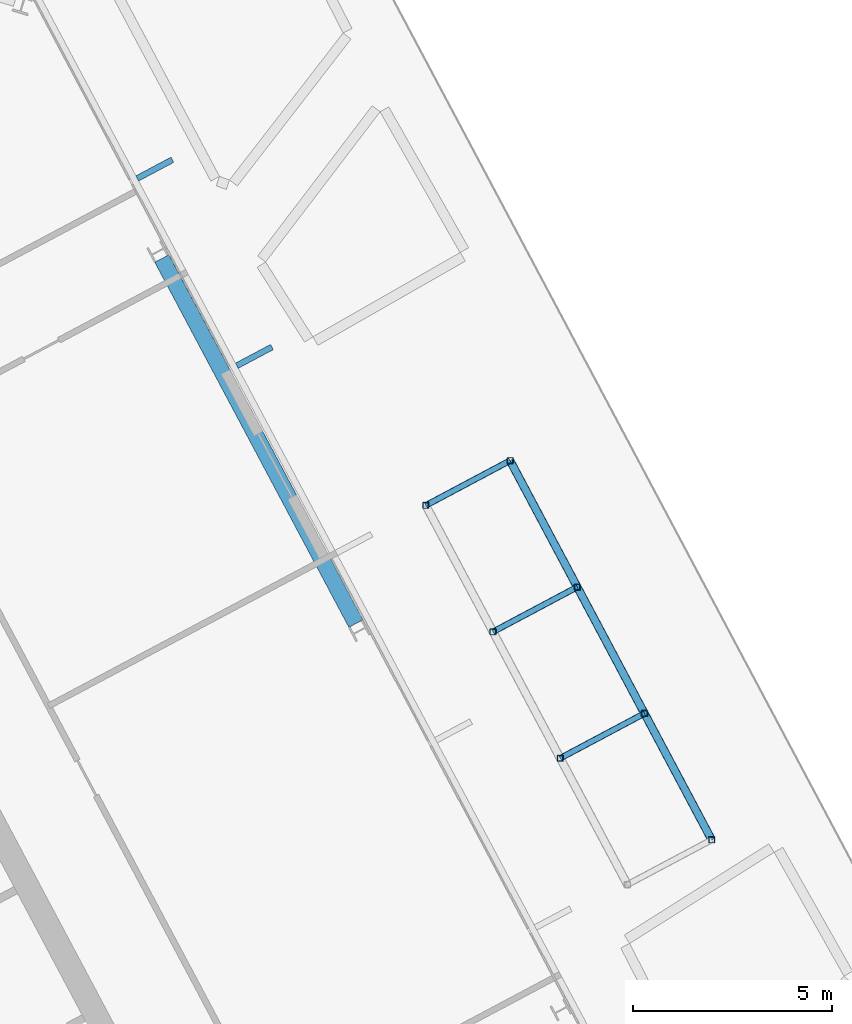
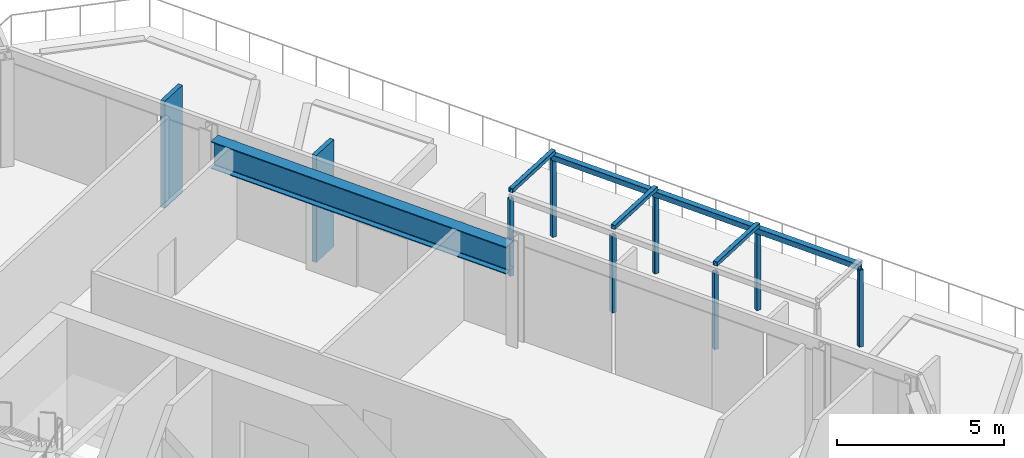
# One storey, part 12 of 31: 13 members, 1 beam, 1 element without a shape of its own.
"""IFC4 building model written with IfcOpenShell, lengths in metres."""

from ifc_helpers import new_model, si_unit, direction, frame, origin, origin_2d, place, context, subcontext, project, spatial, rectangle, hollow_rectangle, i_section, extrude, material, layer, layer_set, material_profile, profile_set, type_object, element, aggregate, save


model = new_model("IFC4")

# Units and contexts
model_context = context("Model", 3, precision=1e-05, world=origin(), true_north=direction((0.0, 1.0)))
body_context = subcontext(model_context, "Body", "Model", "MODEL_VIEW")
ifc_project = project(units=[si_unit("LENGTHUNIT", "METRE"), si_unit("AREAUNIT", "SQUARE_METRE"), si_unit("VOLUMEUNIT", "CUBIC_METRE"), si_unit("PLANEANGLEUNIT", "RADIAN"), si_unit("MASSUNIT", "GRAM", prefix="KILO")], contexts=[model_context])

# Site, building, storey
site_placement = place(None, origin())
site = spatial("IfcSite", under=ifc_project, at=site_placement, CompositionType="ELEMENT")
building_placement = place(site_placement, origin())
building = spatial("IfcBuilding", under=site, at=building_placement, Name="Cormorant Relay Tower", CompositionType="ELEMENT")
storey_placement = place(building_placement, frame((0.0, 0.0, 189.60009765625)))
storey = spatial("IfcBuildingStorey", under=building, at=storey_placement, Name="L40", CompositionType="ELEMENT", Elevation=189.60009765625)

# Curtain wall, members
ifc_material_1 = material(Name="Aluminium 6063-T6 anodised bronze", Category="aluminium")
ifc_layer = layer(ifc_material_1, 0.199951171875)
ifc_layer_set = layer_set([ifc_layer], Name="CW1 unitised bronze curtain wall with vertical fins")
curtain_wall_type = type_object("IfcCurtainWallType", Name="CW1 unitised bronze curtain wall with vertical fins", PredefinedType="NOTDEFINED", material=ifc_layer_set)
curtain_wall_placement = place(storey_placement, origin())
curtain_wall = element("IfcCurtainWall", 1, at=curtain_wall_placement, inside=storey, type_object=curtain_wall_type, Name="CW1 curtain wall 6", PredefinedType="NOTDEFINED")
ifc_material_2 = material(Name="Aluminium 6063-T6 anodised bronze", Category="aluminium")
ifc_material_profile_1 = material_profile(ifc_material_2, rectangle(XDim=0.14990234375, YDim=1.0, at=origin_2d()), Name="AL 150x1000")
ifc_profile_set_1 = profile_set([ifc_material_profile_1], Name="Aluminium 6063-T6 anodised bronze")
member_type_1 = type_object("IfcMemberType", Name="CW1 bronze fin mullion 150 x 1000", PredefinedType="MULLION", material=ifc_profile_set_1)
member_1_placement = place(storey_placement, frame((39.556884765625, 29.338134765625, 0.0), z_axis=(0.0, 0.0, 1.0), x_axis=(-0.469471562786, 0.882947592859, 0.0)))
member_1 = element("IfcMember", 2, at=member_1_placement, type_object=member_type_1, Name="CW1 fin 6.5", PredefinedType="MULLION", context=body_context, shape_type="SweptSolid", body=[
    extrude(rectangle(XDim=0.14990234375, YDim=1.0, at=origin_2d()), origin(), (0.0, 0.0, 1.0), 3.89990234375),
])
member_2_placement = place(storey_placement, frame((37.052978515625, 34.04736328125, 0.0), z_axis=(0.0, 0.0, 1.0), x_axis=(-0.469471562786, 0.882947592859, 0.0)))
member_2 = element("IfcMember", 3, at=member_2_placement, type_object=member_type_1, Name="CW1 fin 6.6", PredefinedType="MULLION", context=body_context, shape_type="SweptSolid", body=[
    extrude(rectangle(XDim=0.14990234375, YDim=1.0, at=origin_2d()), origin(), (0.0, 0.0, 1.0), 3.89990234375),
])
aggregate(curtain_wall, [member_1, member_2])

# Members
ifc_material_3 = material(Name="Steel ASTM A500 Grade C (Fy 345 MPa)", Category="steel")
ifc_material_profile_2 = material_profile(ifc_material_3, hollow_rectangle(XDim=0.203125, YDim=0.203125, WallThickness=0.0087890625, InnerFilletRadius=0.00439453125, OuterFilletRadius=0.01318359375, at=origin_2d()), Name="HSS203x203x9")
ifc_profile_set_2 = profile_set([ifc_material_profile_2], Name="Steel ASTM A500 Grade C (Fy 345 MPa)")
member_type_2 = type_object("IfcMemberType", Name="Pergola beam HSS203x203x9", PredefinedType="RAFTER", material=ifc_profile_set_2)
member_3_placement = place(storey_placement, frame((51.056396484375, 17.1806640625, 2.901611328125), z_axis=(-0.469480251476, 0.882942972946, 0.0), x_axis=(-0.882942972946, -0.469480251476, 0.0)))
element("IfcMember", 4, at=member_3_placement, inside=storey, type_object=member_type_2, Name="Pergola beam", PredefinedType="RAFTER", context=body_context, shape_type="SweptSolid", body=[
    extrude(hollow_rectangle(XDim=0.203125, YDim=0.203125, WallThickness=0.0087890625, InnerFilletRadius=0.00439453125, OuterFilletRadius=0.01318359375, at=origin_2d()), origin(), (0.0, 0.0, 1.0), 10.7998046875),
])
ifc_material_4 = material(Name="Steel ASTM A500 Grade C (Fy 345 MPa)", Category="steel")
ifc_material_profile_3 = material_profile(ifc_material_4, hollow_rectangle(XDim=0.15234375, YDim=0.15234375, WallThickness=0.0087890625, InnerFilletRadius=0.00439453125, OuterFilletRadius=0.01318359375, at=origin_2d()), Name="HSS152x152x9")
ifc_profile_set_3 = profile_set([ifc_material_profile_3], Name="Steel ASTM A500 Grade C (Fy 345 MPa)")
member_type_3 = type_object("IfcMemberType", Name="Pergola post HSS152x152x9", PredefinedType="POST", material=ifc_profile_set_3)
for number, where, z_axis, x_axis, name in (
    (5, (47.247314453125, 19.232421875, 0.0), (0.0, 0.0, 1.0), (1.0, 0.0, 0.0), "Pergola post"),
    (6, (45.55712890625, 22.4111328125, 0.0), (0.0, 0.0, 1.0), (1.0, 0.0, 0.0), "Pergola post"),
    (7, (43.8671875, 25.589599609375, 0.0), (0.0, 0.0, 1.0), (1.0, 0.0, 0.0), "Pergola post"),
    (8, (51.056396484375, 17.1806640625, 0.0), (0.0, 0.0, 1.0), (1.0, 0.0, 0.0), "Pergola post"),
    (9, (49.366455078125, 20.359130859375, 0.0), (0.0, 0.0, 1.0), (1.0, 0.0, 0.0), "Pergola post"),
    (10, (47.67626953125, 23.537841796875, 0.0), (0.0, 0.0, 1.0), (1.0, 0.0, 0.0), "Pergola post"),
    (11, (45.986083984375, 26.71630859375, 0.0), (0.0, 0.0, 1.0), (1.0, 0.0, 0.0), "Pergola post"),
):
    element("IfcMember", number, at=place(storey_placement, frame(where, z_axis=z_axis, x_axis=x_axis)), inside=storey, type_object=member_type_3, Name=name, PredefinedType="POST", context=body_context, shape_type="SweptSolid", body=[
        extrude(hollow_rectangle(XDim=0.15234375, YDim=0.15234375, WallThickness=0.0087890625, InnerFilletRadius=0.00439453125, OuterFilletRadius=0.01318359375, at=origin_2d()), origin(), (0.0, 0.0, 1.0), 2.7998046875),
    ])
ifc_material_5 = material(Name="Steel ASTM A500 Grade C (Fy 345 MPa)", Category="steel")
ifc_material_profile_4 = material_profile(ifc_material_5, hollow_rectangle(XDim=0.15234375, YDim=0.15234375, WallThickness=0.0087890625, InnerFilletRadius=0.00439453125, OuterFilletRadius=0.01318359375, at=origin_2d()), Name="HSS152x152x9")
ifc_profile_set_4 = profile_set([ifc_material_profile_4], Name="Steel ASTM A500 Grade C (Fy 345 MPa)")
member_type_4 = type_object("IfcMemberType", Name="Pergola rafter HSS152x152x9", PredefinedType="RAFTER", material=ifc_profile_set_4)
for number, where, z_axis, x_axis, name in (
    (12, (47.247314453125, 19.232421875, 3.079345703125), (0.882957622595, 0.46945269911, 0.0), (-0.46945269911, 0.882957622595, 0.0), "Pergola rafter"),
    (13, (45.55712890625, 22.4111328125, 3.079345703125), (0.882957622595, 0.46945269911, 0.0), (-0.46945269911, 0.882957622595, 0.0), "Pergola rafter"),
):
    element("IfcMember", number, at=place(storey_placement, frame(where, z_axis=z_axis, x_axis=x_axis)), inside=storey, type_object=member_type_4, Name=name, PredefinedType="RAFTER", context=body_context, shape_type="SweptSolid", body=[
        extrude(hollow_rectangle(XDim=0.15234375, YDim=0.15234375, WallThickness=0.0087890625, InnerFilletRadius=0.00439453125, OuterFilletRadius=0.01318359375, at=origin_2d()), origin(), (0.0, 0.0, 1.0), 2.400146484375),
    ])
member_4_placement = place(storey_placement, frame((43.8671875, 25.589599609375, 3.079345703125), z_axis=(0.882935201215, 0.469494867336, 0.0), x_axis=(-0.469494867336, 0.882935201215, 0.0)))
element("IfcMember", 14, at=member_4_placement, inside=storey, type_object=member_type_4, Name="Pergola rafter", PredefinedType="RAFTER", context=body_context, shape_type="SweptSolid", body=[
    extrude(hollow_rectangle(XDim=0.15234375, YDim=0.15234375, WallThickness=0.0087890625, InnerFilletRadius=0.00439453125, OuterFilletRadius=0.01318359375, at=origin_2d()), origin(), (0.0, 0.0, 1.0), 2.39990234375),
])

# Beam
ifc_material_6 = material(Name="Steel ASTM A992 (Fy 345 MPa)", Category="steel")
ifc_material_profile_5 = material_profile(ifc_material_6, i_section(OverallWidth=0.4013671875, OverallDepth=0.990478515625, WebThickness=0.0166015625, FlangeThickness=0.031005859375, FilletRadius=0.030029296875, at=origin_2d()), Name="W1000x320")
ifc_profile_set_5 = profile_set([ifc_material_profile_5], Name="Steel ASTM A992 (Fy 345 MPa)")
beam_type = type_object("IfcBeamType", Name="Spandrel W1000x320", PredefinedType="SPANDREL", material=ifc_profile_set_5)
beam_placement = place(storey_placement, frame((42.109619140625, 22.61865234375, 3.044677734375), z_axis=(-0.469476269233, 0.882945090381, 0.0), x_axis=(-0.882945090381, -0.469476269233, 0.0)))
element("IfcBeam", 15, at=beam_placement, inside=storey, type_object=beam_type, Name="Spandrel beam L40-006", PredefinedType="SPANDREL", context=body_context, shape_type="SweptSolid", body=[
    extrude(i_section(OverallWidth=0.4013671875, OverallDepth=0.990478515625, WebThickness=0.0166015625, FlangeThickness=0.031005859375, FilletRadius=0.030029296875, at=origin_2d()), origin(), (0.0, 0.0, 1.0), 10.396484375),
])

save(model, "model.ifc")
